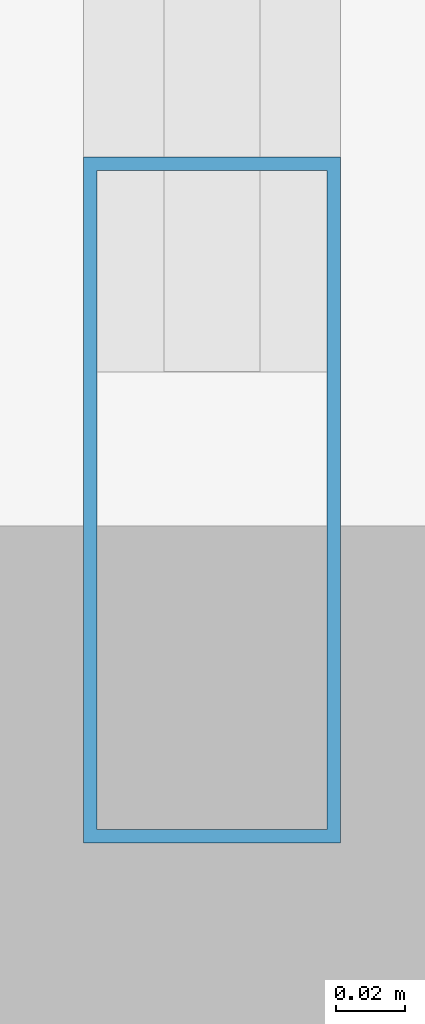
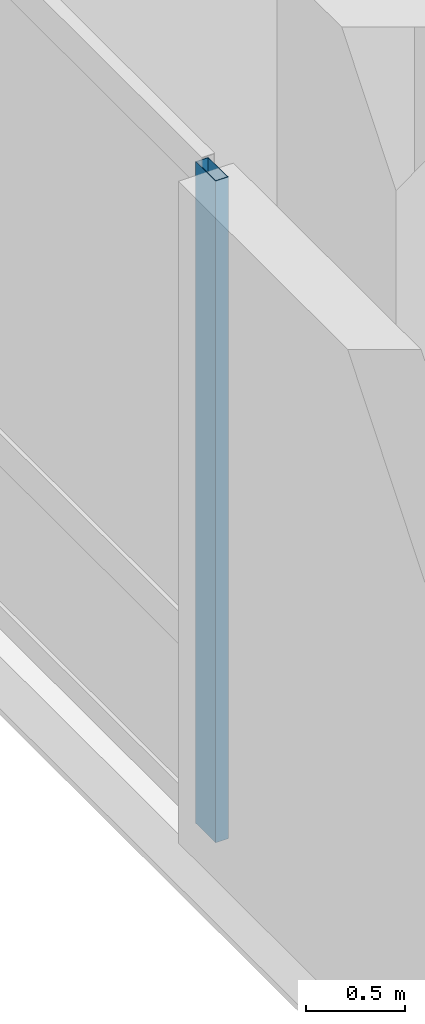
# One storey, part 2 of 26: 1 member, 1 element without a shape of its own.
"""IFC4 building model written with IfcOpenShell, lengths in metres."""

from ifc_helpers import new_model, si_unit, direction, frame, origin, origin_2d, place, context, subcontext, project, spatial, hollow_rectangle, extrude, material, layer, layer_set, material_profile, profile_set, type_object, element, aggregate, save


model = new_model("IFC4")

# Units and contexts
model_context = context("Model", 3, precision=1e-05, world=origin(), true_north=direction((0.0, 1.0)))
body_context = subcontext(model_context, "Body", "Model", "MODEL_VIEW")
ifc_project = project(units=[si_unit("LENGTHUNIT", "METRE"), si_unit("AREAUNIT", "SQUARE_METRE"), si_unit("VOLUMEUNIT", "CUBIC_METRE"), si_unit("PLANEANGLEUNIT", "RADIAN"), si_unit("MASSUNIT", "GRAM", prefix="KILO")], contexts=[model_context])

# Site, building, storey
site_placement = place(None, origin())
site = spatial("IfcSite", under=ifc_project, at=site_placement, CompositionType="ELEMENT")
building_placement = place(site_placement, origin())
building = spatial("IfcBuilding", under=site, at=building_placement, Name="Varnelok Gate Tower", CompositionType="ELEMENT")
storey_placement = place(building_placement, origin())
storey = spatial("IfcBuildingStorey", under=building, at=storey_placement, Name="L00", CompositionType="ELEMENT", Elevation=0.0)

# Curtain wall, member
ifc_material = material(Name="Anodized Aluminum Alloy 6063-T6", Category="aluminium")
ifc_layer = layer(ifc_material, 0.179931640625)
ifc_layer_set = layer_set([ifc_layer], Name="Anodized Aluminum Alloy 6063-T6")
curtain_wall_type = type_object("IfcCurtainWallType", Name="CW1-ARCH-PORTAL", PredefinedType="USERDEFINED", material=ifc_layer_set)
curtain_wall_placement = place(storey_placement, origin())
curtain_wall = element("IfcCurtainWall", 1, at=curtain_wall_placement, inside=storey, type_object=curtain_wall_type, Name="L00 Podium Portal Curtain Wall W", ObjectType="UNITISED CURTAIN WALL", PredefinedType="USERDEFINED")
ifc_material_profile = material_profile(ifc_material, hollow_rectangle(XDim=0.074951171875, YDim=0.199951171875, WallThickness=0.00390625, at=origin_2d()), Name="ALU200X75X4")
ifc_profile_set = profile_set([ifc_material_profile], Name="Anodized Aluminum Alloy 6063-T6")
member_type = type_object("IfcMemberType", Name="CW-MULL-200", PredefinedType="MULLION", material=ifc_profile_set)
member_placement = place(storey_placement, frame((0.159912109375, 15.237548828125, 0.0), z_axis=(0.0, 0.0, 1.0), x_axis=(-1.0, 0.0, 0.0)))
member = element("IfcMember", 2, at=member_placement, type_object=member_type, Name="CW1 mullion 1", PredefinedType="MULLION", context=body_context, shape_type="SweptSolid", body=[
    extrude(hollow_rectangle(XDim=0.074951171875, YDim=0.199951171875, WallThickness=0.00390625, at=origin_2d()), origin(), (0.0, 0.0, 1.0), 4.070068359375),
])
aggregate(curtain_wall, [member])

save(model, "model.ifc")
